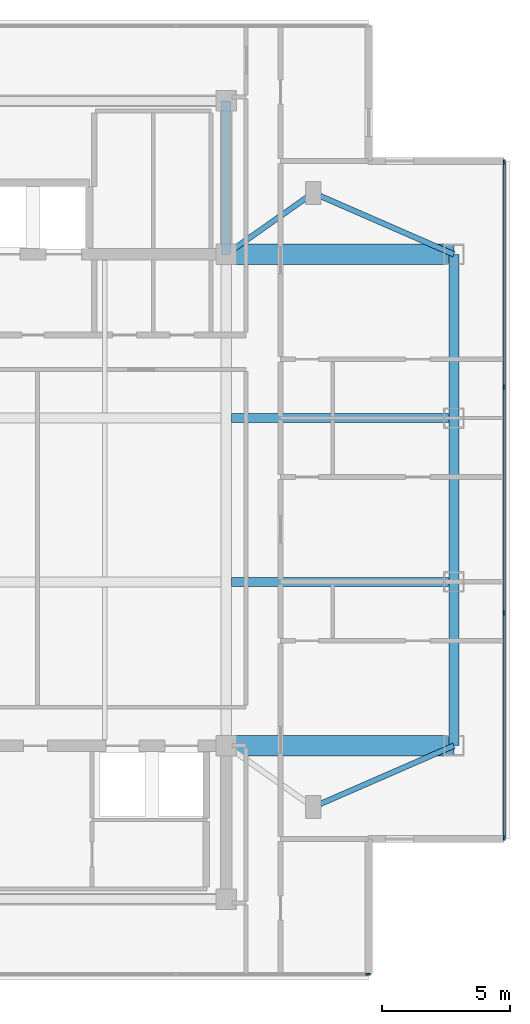
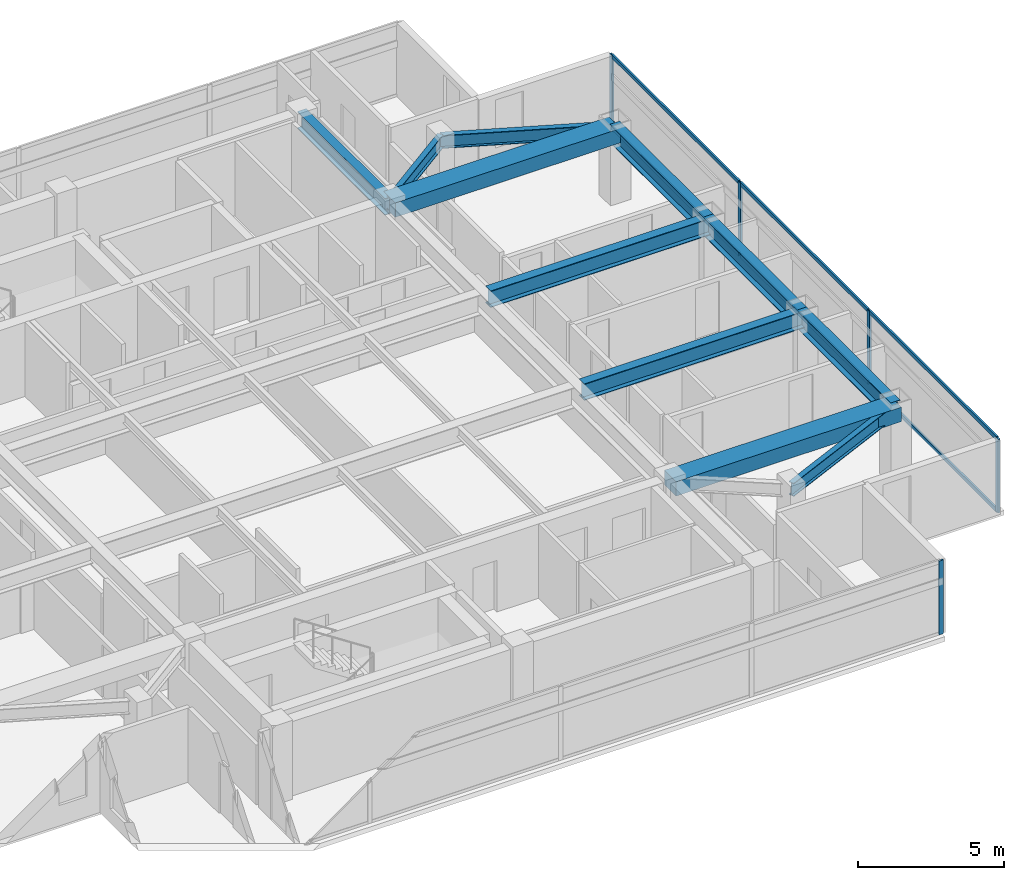
# One storey, part 4 of 12: 11 beams, 11 members, 2 elements without a shape of their own.
"""IFC4 building model written with IfcOpenShell, lengths in metres."""

from ifc_helpers import new_model, si_unit, direction, frame, origin, origin_2d, place, context, subcontext, project, spatial, rectangle, i_section, extrude, material, material_profile, profile_set, type_object, element, aggregate, save


model = new_model("IFC4")

# Units and contexts
model_context = context("Model", 3, precision=1e-05, world=origin(), true_north=direction((0.0, 1.0)))
body_context = subcontext(model_context, "Body", "Model", "MODEL_VIEW")
ifc_project = project(units=[si_unit("LENGTHUNIT", "METRE"), si_unit("AREAUNIT", "SQUARE_METRE"), si_unit("VOLUMEUNIT", "CUBIC_METRE"), si_unit("PLANEANGLEUNIT", "RADIAN"), si_unit("MASSUNIT", "GRAM", prefix="KILO")], contexts=[model_context])

# Site, building, storey
site_placement = place(None, origin())
site = spatial("IfcSite", under=ifc_project, at=site_placement, CompositionType="ELEMENT")
building_placement = place(site_placement, origin())
building = spatial("IfcBuilding", under=site, at=building_placement, Name="Mirazonda Arch Towers", CompositionType="ELEMENT")
storey_placement = place(building_placement, frame((0.0, 0.0, 222.699951171875)))
storey = spatial("IfcBuildingStorey", under=building, at=storey_placement, Name="L63", CompositionType="ELEMENT", Elevation=222.699951171875)

# Beams
ifc_material_1 = material(Name="Steel ASTM A992 Grade 50", Category="steel")
ifc_material_profile_1 = material_profile(ifc_material_1, i_section(OverallWidth=0.381103515625, OverallDepth=0.77294921875, WebThickness=0.0166015625, FlangeThickness=0.027099609375, at=origin_2d()), Name="W30X173")
ifc_profile_set_1 = profile_set([ifc_material_profile_1], Name="Steel ASTM A992 Grade 50")
beam_type_1 = type_object("IfcBeamType", Name="BM-EXT-W30X173", PredefinedType="USERDEFINED", material=ifc_profile_set_1)
beam_1_placement = place(storey_placement, frame((38.89990234375, 18.39990234375, 2.713623046875), z_axis=(0.0, 1.0, 0.0), x_axis=(-1.0, 0.0, 0.0)))
element("IfcBeam", 1, at=beam_1_placement, inside=storey, type_object=beam_type_1, Name="L63 Floor Beam BM-T1-L63-NS-E-18", ObjectType="GIRDER", PredefinedType="USERDEFINED", context=body_context, shape_type="SweptSolid", body=[
    extrude(i_section(OverallWidth=0.381103515625, OverallDepth=0.77294921875, WebThickness=0.0166015625, FlangeThickness=0.027099609375, at=origin_2d()), origin(), (0.0, 0.0, 1.0), 6.400146484375),
])
beam_2_placement = place(storey_placement, frame((38.89990234375, 24.800048828125, 2.713623046875), z_axis=(0.0, 1.0, 0.0), x_axis=(-1.0, 0.0, 0.0)))
element("IfcBeam", 2, at=beam_2_placement, inside=storey, type_object=beam_type_1, Name="L63 Floor Beam BM-T1-L63-NS-E-24", ObjectType="GIRDER", PredefinedType="USERDEFINED", context=body_context, shape_type="SweptSolid", body=[
    extrude(i_section(OverallWidth=0.381103515625, OverallDepth=0.77294921875, WebThickness=0.0166015625, FlangeThickness=0.027099609375, at=origin_2d()), origin(), (0.0, 0.0, 1.0), 6.39990234375),
])
beam_3_placement = place(storey_placement, frame((38.89990234375, 31.199951171875, 2.713623046875), z_axis=(0.0, 1.0, 0.0), x_axis=(-1.0, 0.0, 0.0)))
element("IfcBeam", 3, at=beam_3_placement, inside=storey, type_object=beam_type_1, Name="L63 Floor Beam BM-T1-L63-NS-E-31", ObjectType="GIRDER", PredefinedType="USERDEFINED", context=body_context, shape_type="SweptSolid", body=[
    extrude(i_section(OverallWidth=0.381103515625, OverallDepth=0.77294921875, WebThickness=0.0166015625, FlangeThickness=0.027099609375, at=origin_2d()), origin(), (0.0, 0.0, 1.0), 6.400146484375),
])
ifc_material_profile_2 = material_profile(ifc_material_1, i_section(OverallWidth=0.214111328125, OverallDepth=0.549072265625, WebThickness=0.0146484375, FlangeThickness=0.023681640625, at=origin_2d()), Name="W21X93")
ifc_profile_set_2 = profile_set([ifc_material_profile_2], Name="Steel ASTM A992 Grade 50")
beam_type_2 = type_object("IfcBeamType", Name="BM-INT-W21X93", PredefinedType="BEAM", material=ifc_profile_set_2)
beam_4_placement = place(storey_placement, frame((33.39990234375, 16.0, 2.825439453125), z_axis=(0.916545343703, 0.399930785183, 0.0), x_axis=(-0.399930785183, 0.916545343703, 0.0)))
element("IfcBeam", 4, at=beam_4_placement, inside=storey, type_object=beam_type_2, Name="L63 Floor Beam BM-T1-L63-PL-SE2", PredefinedType="BEAM", context=body_context, shape_type="SweptSolid", body=[
    extrude(i_section(OverallWidth=0.214111328125, OverallDepth=0.549072265625, WebThickness=0.0146484375, FlangeThickness=0.023681640625, at=origin_2d()), origin(), (0.0, 0.0, 1.0), 6.000732421875),
])
beam_5_placement = place(storey_placement, frame((33.39990234375, 40.0, 2.825439453125), z_axis=(-0.816971114901, -0.576678591087, 0.0), x_axis=(0.576678591087, -0.816971114901, 0.0)))
element("IfcBeam", 5, at=beam_5_placement, inside=storey, type_object=beam_type_2, Name="L63 Floor Beam BM-T1-L63-PL-NE1", PredefinedType="BEAM", context=body_context, shape_type="SweptSolid", body=[
    extrude(i_section(OverallWidth=0.214111328125, OverallDepth=0.549072265625, WebThickness=0.0146484375, FlangeThickness=0.023681640625, at=origin_2d()), origin(), (0.0, 0.0, 1.0), 4.16162109375),
])
beam_6_placement = place(storey_placement, frame((33.39990234375, 40.0, 2.825439453125), z_axis=(0.916545343703, -0.399930785183, 0.0), x_axis=(0.399930785183, 0.916545343703, 0.0)))
element("IfcBeam", 6, at=beam_6_placement, inside=storey, type_object=beam_type_2, Name="L63 Floor Beam BM-T1-L63-PL-NE2", PredefinedType="BEAM", context=body_context, shape_type="SweptSolid", body=[
    extrude(i_section(OverallWidth=0.214111328125, OverallDepth=0.549072265625, WebThickness=0.0146484375, FlangeThickness=0.023681640625, at=origin_2d()), origin(), (0.0, 0.0, 1.0), 6.000732421875),
])
ifc_material_profile_3 = material_profile(ifc_material_1, i_section(OverallWidth=0.35498046875, OverallDepth=0.696044921875, WebThickness=0.015380859375, FlangeThickness=0.02490234375, at=origin_2d()), Name="W27X146")
ifc_profile_set_3 = profile_set([ifc_material_profile_3], Name="Steel ASTM A992 Grade 50")
beam_type_3 = type_object("IfcBeamType", Name="BM-INT-W27X146", PredefinedType="BEAM", material=ifc_profile_set_3)
for number, where, z_axis, x_axis, name in (
    (7, (30.199951171875, 24.800048828125, 2.751953125), (1.0, 0.0, 0.0), (0.0, 1.0, 0.0), "L63 Floor Beam BM-T1-L63-GE2"),
    (8, (30.199951171875, 31.199951171875, 2.751953125), (1.0, 0.0, 0.0), (0.0, 1.0, 0.0), "L63 Floor Beam BM-T1-L63-GE3"),
):
    element("IfcBeam", number, at=place(storey_placement, frame(where, z_axis=z_axis, x_axis=x_axis)), inside=storey, type_object=beam_type_3, Name=name, PredefinedType="BEAM", context=body_context, shape_type="SweptSolid", body=[
        extrude(i_section(OverallWidth=0.35498046875, OverallDepth=0.696044921875, WebThickness=0.015380859375, FlangeThickness=0.02490234375, at=origin_2d()), origin(), (0.0, 0.0, 1.0), 8.699951171875),
    ])
beam_7_placement = place(storey_placement, frame((30.0, 37.60009765625, 2.751953125), z_axis=(0.0, 1.0, 0.0), x_axis=(-1.0, 0.0, 0.0)))
element("IfcBeam", 9, at=beam_7_placement, inside=storey, type_object=beam_type_3, Name="L63 Floor Beam BM-T1-L63-CNE", PredefinedType="BEAM", context=body_context, shape_type="SweptSolid", body=[
    extrude(i_section(OverallWidth=0.35498046875, OverallDepth=0.696044921875, WebThickness=0.015380859375, FlangeThickness=0.02490234375, at=origin_2d()), origin(), (0.0, 0.0, 1.0), 6.0),
])
ifc_material_2 = material(Name="Concrete C60/75", Category="concrete")
ifc_material_profile_4 = material_profile(ifc_material_2, rectangle(XDim=0.800048828125, YDim=0.60009765625, at=origin_2d()), Name="RCCB800x600")
ifc_profile_set_4 = profile_set([ifc_material_profile_4], Name="Concrete C60/75")
beam_type_4 = type_object("IfcBeamType", Name="CB-INT-RCCB800x600", PredefinedType="SPANDREL", material=ifc_profile_set_4)
for number, where, z_axis, x_axis, name in (
    (10, (30.0, 37.60009765625, 2.800048828125), (1.0, 0.0, 0.0), (0.0, 1.0, 0.0), "L63 Floor Beam CBC-T1-L63-NE"),
    (11, (30.0, 18.39990234375, 2.800048828125), (1.0, 0.0, 0.0), (0.0, 1.0, 0.0), "L63 Floor Beam CBC-T1-L63-SE"),
):
    element("IfcBeam", number, at=place(storey_placement, frame(where, z_axis=z_axis, x_axis=x_axis)), inside=storey, type_object=beam_type_4, Name=name, PredefinedType="SPANDREL", context=body_context, shape_type="SweptSolid", body=[
        extrude(rectangle(XDim=0.800048828125, YDim=0.60009765625, at=origin_2d()), origin(), (0.0, 0.0, 1.0), 8.89990234375),
    ])

# Curtain wall, member
ifc_material_3 = material(Name="Anodised Aluminium and Low-E Glass", Category="aluminium")
curtain_wall_type = type_object("IfcCurtainWallType", Name="CW-RES-UNIT", PredefinedType="NOTDEFINED", material=ifc_material_3)
curtain_wall_1_placement = place(storey_placement, origin())
curtain_wall_1 = element("IfcCurtainWall", 12, at=curtain_wall_1_placement, inside=storey, type_object=curtain_wall_type, Name="L63 T1 S Facade CW-L63-T1-S", PredefinedType="NOTDEFINED")
ifc_material_4 = material(Name="Anodised Aluminium Alloy", Category="aluminium")
ifc_material_profile_5 = material_profile(ifc_material_4, rectangle(XDim=0.074951171875, YDim=0.175048828125, at=origin_2d()), Name="ALU-MULL-75x175")
ifc_profile_set_5 = profile_set([ifc_material_profile_5], Name="Anodised Aluminium Alloy")
member_type_1 = type_object("IfcMemberType", Name="MULL-CW-RES-UNIT", PredefinedType="MULLION", material=ifc_profile_set_5)
member_1_placement = place(storey_placement, frame((35.532470703125, 9.4619140625, 0.0), z_axis=(0.0, 0.0, 1.0), x_axis=(0.0, -1.0, 0.0)))
member_1 = element("IfcMember", 13, at=member_1_placement, type_object=member_type_1, Name="CW-104 mullion 1", PredefinedType="MULLION", context=body_context, shape_type="SweptSolid", body=[
    extrude(rectangle(XDim=0.074951171875, YDim=0.175048828125, at=origin_2d()), origin(), (0.0, 0.0, 1.0), 3.080078125),
])
aggregate(curtain_wall_1, [member_1])

# Curtain wall, members
curtain_wall_2_placement = place(storey_placement, origin())
curtain_wall_2 = element("IfcCurtainWall", 14, at=curtain_wall_2_placement, inside=storey, type_object=curtain_wall_type, Name="L63 T1 E Facade CW-L63-T1-E", PredefinedType="NOTDEFINED")
member_2_placement = place(storey_placement, frame((40.860107421875, 14.78955078125, 0.0), z_axis=(0.0, 0.0, 1.0), x_axis=(-1.0, 0.0, 0.0)))
member_2 = element("IfcMember", 15, at=member_2_placement, type_object=member_type_1, Name="CW-104 mullion 1", PredefinedType="MULLION", context=body_context, shape_type="SweptSolid", body=[
    extrude(rectangle(XDim=0.074951171875, YDim=0.175048828125, at=origin_2d()), origin(), (0.0, 0.0, 1.0), 3.080078125),
])
member_3_placement = place(storey_placement, frame((40.860107421875, 23.583984375, 0.0), z_axis=(0.0, 0.0, 1.0), x_axis=(-1.0, 0.0, 0.0)))
member_3 = element("IfcMember", 16, at=member_3_placement, type_object=member_type_1, Name="CW-104 mullion 2", PredefinedType="MULLION", context=body_context, shape_type="SweptSolid", body=[
    extrude(rectangle(XDim=0.074951171875, YDim=0.175048828125, at=origin_2d()), origin(), (0.0, 0.0, 1.0), 3.080078125),
])
member_4_placement = place(storey_placement, frame((40.860107421875, 32.416015625, 0.0), z_axis=(0.0, 0.0, 1.0), x_axis=(-1.0, 0.0, 0.0)))
member_4 = element("IfcMember", 17, at=member_4_placement, type_object=member_type_1, Name="CW-104 mullion 3", PredefinedType="MULLION", context=body_context, shape_type="SweptSolid", body=[
    extrude(rectangle(XDim=0.074951171875, YDim=0.175048828125, at=origin_2d()), origin(), (0.0, 0.0, 1.0), 3.080078125),
])
member_5_placement = place(storey_placement, frame((40.860107421875, 41.21044921875, 0.0), z_axis=(0.0, 0.0, 1.0), x_axis=(-1.0, 0.0, 0.0)))
member_5 = element("IfcMember", 18, at=member_5_placement, type_object=member_type_1, Name="CW-104 mullion 4", PredefinedType="MULLION", context=body_context, shape_type="SweptSolid", body=[
    extrude(rectangle(XDim=0.074951171875, YDim=0.175048828125, at=origin_2d()), origin(), (0.0, 0.0, 1.0), 3.080078125),
])
ifc_material_profile_6 = material_profile(ifc_material_4, rectangle(XDim=0.074951171875, YDim=0.155029296875, at=origin_2d()), Name="ALU-TRAN-75x155")
ifc_profile_set_6 = profile_set([ifc_material_profile_6], Name="Anodised Aluminium Alloy")
member_type_2 = type_object("IfcMemberType", Name="TRAN-CW-RES-UNIT", PredefinedType="USERDEFINED", material=ifc_profile_set_6)
member_6_placement = place(storey_placement, frame((40.860107421875, 14.826904296875, 0.03759765625), z_axis=(0.0, 1.0, 0.0), x_axis=(-1.0, 0.0, 0.0)))
member_6 = element("IfcMember", 19, at=member_6_placement, type_object=member_type_2, Name="CW-104 transom 1.1", ObjectType="TRANSOM", PredefinedType="USERDEFINED", context=body_context, shape_type="SweptSolid", body=[
    extrude(rectangle(XDim=0.074951171875, YDim=0.155029296875, at=origin_2d()), origin(), (0.0, 0.0, 1.0), 8.719482421875),
])
member_7_placement = place(storey_placement, frame((40.860107421875, 14.826904296875, 3.04248046875), z_axis=(0.0, 1.0, 0.0), x_axis=(-1.0, 0.0, 0.0)))
member_7 = element("IfcMember", 20, at=member_7_placement, type_object=member_type_2, Name="CW-104 transom 1.2", ObjectType="TRANSOM", PredefinedType="USERDEFINED", context=body_context, shape_type="SweptSolid", body=[
    extrude(rectangle(XDim=0.074951171875, YDim=0.155029296875, at=origin_2d()), origin(), (0.0, 0.0, 1.0), 8.719482421875),
])
member_8_placement = place(storey_placement, frame((40.860107421875, 23.62158203125, 0.03759765625), z_axis=(0.0, 1.0, 0.0), x_axis=(-1.0, 0.0, 0.0)))
member_8 = element("IfcMember", 21, at=member_8_placement, type_object=member_type_2, Name="CW-104 transom 2.1", ObjectType="TRANSOM", PredefinedType="USERDEFINED", context=body_context, shape_type="SweptSolid", body=[
    extrude(rectangle(XDim=0.074951171875, YDim=0.155029296875, at=origin_2d()), origin(), (0.0, 0.0, 1.0), 8.7568359375),
])
member_9_placement = place(storey_placement, frame((40.860107421875, 23.62158203125, 3.04248046875), z_axis=(0.0, 1.0, 0.0), x_axis=(-1.0, 0.0, 0.0)))
member_9 = element("IfcMember", 22, at=member_9_placement, type_object=member_type_2, Name="CW-104 transom 2.2", ObjectType="TRANSOM", PredefinedType="USERDEFINED", context=body_context, shape_type="SweptSolid", body=[
    extrude(rectangle(XDim=0.074951171875, YDim=0.155029296875, at=origin_2d()), origin(), (0.0, 0.0, 1.0), 8.7568359375),
])
member_10_placement = place(storey_placement, frame((40.860107421875, 32.45361328125, 0.03759765625), z_axis=(0.0, 1.0, 0.0), x_axis=(-1.0, 0.0, 0.0)))
member_10 = element("IfcMember", 23, at=member_10_placement, type_object=member_type_2, Name="CW-104 transom 3.1", ObjectType="TRANSOM", PredefinedType="USERDEFINED", context=body_context, shape_type="SweptSolid", body=[
    extrude(rectangle(XDim=0.074951171875, YDim=0.155029296875, at=origin_2d()), origin(), (0.0, 0.0, 1.0), 8.719482421875),
])
member_11_placement = place(storey_placement, frame((40.860107421875, 32.45361328125, 3.04248046875), z_axis=(0.0, 1.0, 0.0), x_axis=(-1.0, 0.0, 0.0)))
member_11 = element("IfcMember", 24, at=member_11_placement, type_object=member_type_2, Name="CW-104 transom 3.2", ObjectType="TRANSOM", PredefinedType="USERDEFINED", context=body_context, shape_type="SweptSolid", body=[
    extrude(rectangle(XDim=0.074951171875, YDim=0.155029296875, at=origin_2d()), origin(), (0.0, 0.0, 1.0), 8.719482421875),
])
aggregate(curtain_wall_2, [member_2, member_3, member_4, member_5, member_6, member_7, member_8, member_9, member_10, member_11])

save(model, "model.ifc")
